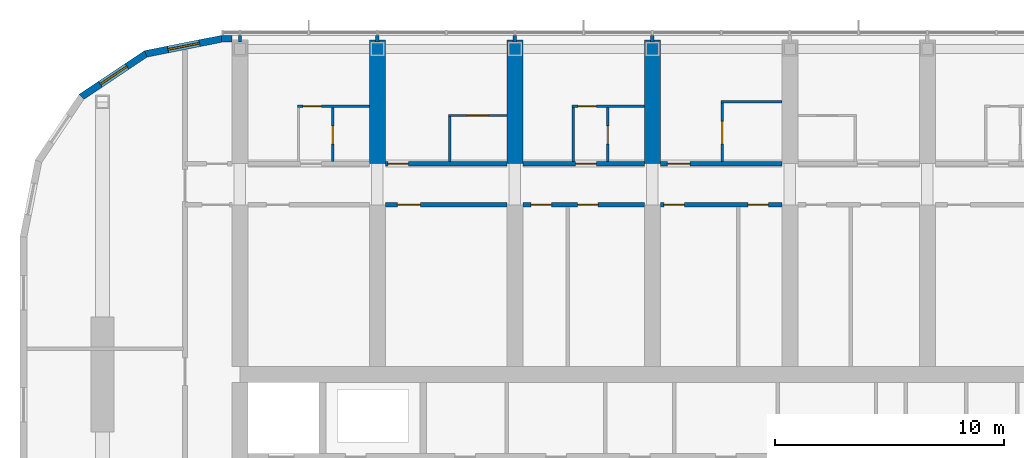
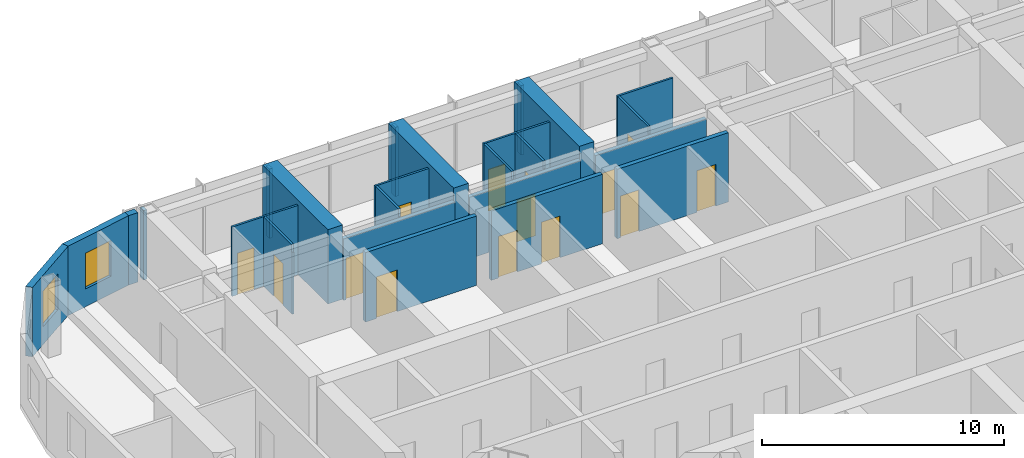
# One storey, part 16 of 23: 25 walls, 14 doors, 2 windows, 16 openings.
"""IFC4 building model written with IfcOpenShell, lengths in metres."""

from ifc_helpers import new_model, si_unit, direction, frame, frame_2d, origin, place, context, subcontext, project, spatial, polyline, rectangle, outline, extrude, material, layer, layer_set, type_object, element, fill, save


model = new_model("IFC4")

# Units and contexts
model_context = context("Model", 3, precision=1e-05, world=origin(), true_north=direction((0.0, 1.0)))
body_context = subcontext(model_context, "Body", "Model", "MODEL_VIEW")
ifc_project = project(units=[si_unit("LENGTHUNIT", "METRE"), si_unit("AREAUNIT", "SQUARE_METRE"), si_unit("VOLUMEUNIT", "CUBIC_METRE"), si_unit("PLANEANGLEUNIT", "RADIAN"), si_unit("MASSUNIT", "GRAM", prefix="KILO")], contexts=[model_context])

# Site, building, storey
site_placement = place(None, origin())
site = spatial("IfcSite", under=ifc_project, at=site_placement, CompositionType="ELEMENT")
building_placement = place(site_placement, origin())
building = spatial("IfcBuilding", under=site, at=building_placement, Name="Orbita Commons", CompositionType="ELEMENT")
storey_placement = place(building_placement, frame((0.0, 0.0, 224.050048828125)))
storey = spatial("IfcBuildingStorey", under=building, at=storey_placement, Name="L55", CompositionType="ELEMENT", Elevation=224.050048828125)

# Wall, opening, door
ifc_material_1 = material(Name="Concrete blockwork", Category="masonry")
ifc_layer_1 = layer(ifc_material_1, 0.199951171875)
ifc_layer_set_1 = layer_set([ifc_layer_1], Name="Concrete blockwork")
wall_type_1 = type_object("IfcWallType", Name="Corridor wall 200 blockwork", PredefinedType="SOLIDWALL", material=ifc_layer_set_1)
wall_1_placement = place(storey_placement, frame((24.35009765625, 47.39990234375, 0.0), z_axis=(0.0, 0.0, 1.0), x_axis=(1.0, 0.0, 0.0)))
wall_1 = element("IfcWall", 1, at=wall_1_placement, inside=storey, type_object=wall_type_1, Name="Corridor wall 200 blockwork L55", PredefinedType="SOLIDWALL", context=body_context, shape_type="SweptSolid", body=[
    extrude(outline(polyline([(0.0, 0.0), (5.2998046875, 0.0), (5.300048828125, 3.099853515625), (0.0, 3.099853515625), (0.0, 0.0)])), frame((0.0, 0.10009765625, 0.0), z_axis=(0.0, -1.0, 0.0), x_axis=(1.0, 0.0, 0.0)), (0.0, 0.0, 1.0), 0.199951171875),
])
opening_1_placement = place(wall_1_placement, frame((0.10009765625, 0.0, 0.0)))
opening_1 = element("IfcOpeningElement", 2, at=opening_1_placement, cuts=wall_1, Name="Opening D11", PredefinedType="OPENING", context=body_context, shape_type="SweptSolid", body=[
    extrude(rectangle(XDim=0.89990234375, YDim=2.10009765625, at=frame_2d((0.449951171875, 1.050048828125))), frame((0.0, 0.10986328125, 0.0), z_axis=(0.0, -1.0, 0.0), x_axis=(1.0, 0.0, 0.0)), (0.0, 0.0, 1.0), 0.219970703125),
])
ifc_material_2 = material(Name="Steel-faced fire door leaf", Category="steel")
door_type_1 = type_object("IfcDoorType", Name="Corridor door 20 min 900x2100", OperationType="SINGLE_SWING_LEFT", PredefinedType="DOOR", material=ifc_material_2)
door_1_placement = place(opening_1_placement, origin())
door_1 = element("IfcDoor", 3, at=door_1_placement, inside=storey, type_object=door_type_1, Name="Studio apartment with kitchenette L55-N02 door", OperationType="SINGLE_SWING_LEFT", OverallHeight=2.10009765625, OverallWidth=0.89990234375, PredefinedType="DOOR", context=body_context, shape_type="SweptSolid", body=[
    extrude(rectangle(XDim=0.89990234375, YDim=2.10009765625, at=frame_2d((0.449951171875, 1.050048828125))), frame((0.0, 0.02490234375, 0.0), z_axis=(0.0, -1.0, 0.0), x_axis=(1.0, 0.0, 0.0)), (0.0, 0.0, 1.0), 0.050048828125),
])
fill(opening_1, door_1)

wall_2_placement = place(storey_placement, frame((30.35009765625, 47.39990234375, 0.0), z_axis=(0.0, 0.0, 1.0), x_axis=(1.0, 0.0, 0.0)))
wall_2 = element("IfcWall", 4, at=wall_2_placement, inside=storey, type_object=wall_type_1, Name="Corridor wall 200 blockwork L55", PredefinedType="SOLIDWALL", context=body_context, shape_type="SweptSolid", body=[
    extrude(outline(polyline([(0.0, 0.0), (5.2998046875, 0.0), (5.300048828125, 3.099853515625), (0.0, 3.099853515625), (0.0, 0.0)])), frame((0.0, 0.10009765625, 0.0), z_axis=(0.0, -1.0, 0.0), x_axis=(1.0, 0.0, 0.0)), (0.0, 0.0, 1.0), 0.199951171875),
])
opening_2_placement = place(wall_2_placement, frame((2.300048828125, 0.0, 0.0)))
opening_2 = element("IfcOpeningElement", 5, at=opening_2_placement, cuts=wall_2, Name="Opening D11", PredefinedType="OPENING", context=body_context, shape_type="SweptSolid", body=[
    extrude(rectangle(XDim=0.89990234375, YDim=2.10009765625, at=frame_2d((0.449951171875, 1.050048828125))), frame((0.0, 0.10986328125, 0.0), z_axis=(0.0, -1.0, 0.0), x_axis=(1.0, 0.0, 0.0)), (0.0, 0.0, 1.0), 0.219970703125),
])
door_2_placement = place(opening_2_placement, origin())
door_2 = element("IfcDoor", 6, at=door_2_placement, inside=storey, type_object=door_type_1, Name="Studio flat L55-N04 entrance door", OperationType="SINGLE_SWING_LEFT", OverallHeight=2.10009765625, OverallWidth=0.89990234375, PredefinedType="DOOR", context=body_context, shape_type="SweptSolid", body=[
    extrude(rectangle(XDim=0.89990234375, YDim=2.10009765625, at=frame_2d((0.449951171875, 1.050048828125))), frame((0.0, 0.02490234375, 0.0), z_axis=(0.0, -1.0, 0.0), x_axis=(1.0, 0.0, 0.0)), (0.0, 0.0, 1.0), 0.050048828125),
])
fill(opening_2, door_2)

wall_3_placement = place(storey_placement, frame((36.35009765625, 47.39990234375, 0.0), z_axis=(0.0, 0.0, 1.0), x_axis=(1.0, 0.0, 0.0)))
wall_3 = element("IfcWall", 7, at=wall_3_placement, inside=storey, type_object=wall_type_1, Name="Corridor wall 200 blockwork L55", PredefinedType="SOLIDWALL", context=body_context, shape_type="SweptSolid", body=[
    extrude(outline(polyline([(0.0, 0.0), (5.2998046875, 0.0), (5.300048828125, 3.099853515625), (0.0, 3.099853515625), (0.0, 0.0)])), frame((0.0, 0.10009765625, 0.0), z_axis=(0.0, -1.0, 0.0), x_axis=(1.0, 0.0, 0.0)), (0.0, 0.0, 1.0), 0.199951171875),
])
opening_3_placement = place(wall_3_placement, frame((0.300048828125, 0.0, 0.0)))
opening_3 = element("IfcOpeningElement", 8, at=opening_3_placement, cuts=wall_3, Name="Opening D06", PredefinedType="OPENING", context=body_context, shape_type="SweptSolid", body=[
    extrude(rectangle(XDim=1.0, YDim=2.10009765625, at=frame_2d((0.5, 1.050048828125))), frame((0.0, 0.10986328125, 0.0), z_axis=(0.0, -1.0, 0.0), x_axis=(1.0, 0.0, 0.0)), (0.0, 0.0, 1.0), 0.219970703125),
])
ifc_material_3 = material(Name="Steel-faced fire door leaf", Category="steel")
door_type_2 = type_object("IfcDoorType", Name="Corridor door 20 min 1000x2100", OperationType="SINGLE_SWING_LEFT", PredefinedType="DOOR", material=ifc_material_3)
door_3_placement = place(opening_3_placement, origin())
door_3 = element("IfcDoor", 9, at=door_3_placement, inside=storey, type_object=door_type_2, Name="Accessible bedroom L55-N06 door", OperationType="SINGLE_SWING_LEFT", OverallHeight=2.10009765625, OverallWidth=1.0, PredefinedType="DOOR", context=body_context, shape_type="SweptSolid", body=[
    extrude(rectangle(XDim=1.0, YDim=2.10009765625, at=frame_2d((0.5, 1.050048828125))), frame((0.0, 0.02490234375, 0.0), z_axis=(0.0, -1.0, 0.0), x_axis=(1.0, 0.0, 0.0)), (0.0, 0.0, 1.0), 0.050048828125),
])
fill(opening_3, door_3)

ifc_material_4 = material(Name="Hollow concrete block 200", Category="concrete")
ifc_layer_2 = layer(ifc_material_4, 0.199951171875)
ifc_layer_set_2 = layer_set([ifc_layer_2], Name="Hollow concrete block 200")
wall_type_2 = type_object("IfcWallType", Name="Corridor wall 200 hollow concrete block", PredefinedType="SOLIDWALL", material=ifc_layer_set_2)
wall_4_placement = place(storey_placement, frame((24.35009765625, 45.60009765625, 0.0), z_axis=(0.0, 0.0, 1.0), x_axis=(1.0, 0.0, 0.0)))
wall_4 = element("IfcWall", 10, at=wall_4_placement, inside=storey, type_object=wall_type_2, Name="Corridor wall 200 hollow concrete block L55", PredefinedType="SOLIDWALL", context=body_context, shape_type="SweptSolid", body=[
    extrude(rectangle(XDim=5.2998046875, YDim=0.199951171875, at=frame_2d((2.64990234375, 0.0))), origin(), (0.0, 0.0, 1.0), 3.5),
])
opening_4_placement = place(wall_4_placement, frame((0.52490234375, 0.0, 0.0)))
opening_4 = element("IfcOpeningElement", 11, at=opening_4_placement, cuts=wall_4, Name="Opening D06", PredefinedType="OPENING", context=body_context, shape_type="SweptSolid", body=[
    extrude(rectangle(XDim=1.0, YDim=2.10009765625, at=frame_2d((0.5, 1.050048828125))), frame((0.0, 0.10986328125, 0.0), z_axis=(0.0, -1.0, 0.0), x_axis=(1.0, 0.0, 0.0)), (0.0, 0.0, 1.0), 0.219970703125),
])
door_4_placement = place(opening_4_placement, origin())
door_4 = element("IfcDoor", 12, at=door_4_placement, inside=storey, type_object=door_type_2, Name="Storage lockers L55-BDN24 door", OperationType="SINGLE_SWING_LEFT", OverallHeight=2.10009765625, OverallWidth=1.0, PredefinedType="DOOR", context=body_context, shape_type="SweptSolid", body=[
    extrude(rectangle(XDim=1.0, YDim=2.10009765625, at=frame_2d((0.5, 1.050048828125))), frame((0.0, 0.02490234375, 0.0), z_axis=(0.0, -1.0, 0.0), x_axis=(1.0, 0.0, 0.0)), (0.0, 0.0, 1.0), 0.050048828125),
])
fill(opening_4, door_4)

# Wall, openings, doors
wall_5_placement = place(storey_placement, frame((30.35009765625, 45.60009765625, 0.0), z_axis=(0.0, 0.0, 1.0), x_axis=(1.0, 0.0, 0.0)))
wall_5 = element("IfcWall", 13, at=wall_5_placement, inside=storey, type_object=wall_type_2, Name="Corridor wall 200 hollow concrete block L55", PredefinedType="SOLIDWALL", context=body_context, shape_type="SweptSolid", body=[
    extrude(rectangle(XDim=5.2998046875, YDim=0.199951171875, at=frame_2d((2.64990234375, 0.0))), origin(), (0.0, 0.0, 1.0), 3.5),
])
opening_5_placement = place(wall_5_placement, frame((0.35009765625, 0.0, 0.0)))
opening_5 = element("IfcOpeningElement", 14, at=opening_5_placement, cuts=wall_5, Name="Opening D11", PredefinedType="OPENING", context=body_context, shape_type="SweptSolid", body=[
    extrude(rectangle(XDim=0.89990234375, YDim=2.10009765625, at=frame_2d((0.449951171875, 1.050048828125))), frame((0.0, 0.10986328125, 0.0), z_axis=(0.0, -1.0, 0.0), x_axis=(1.0, 0.0, 0.0)), (0.0, 0.0, 1.0), 0.219970703125),
])
opening_6_placement = place(wall_5_placement, frame((2.385009765625, 0.0, 0.0)))
opening_6 = element("IfcOpeningElement", 15, at=opening_6_placement, cuts=wall_5, Name="Opening D11", PredefinedType="OPENING", context=body_context, shape_type="SweptSolid", body=[
    extrude(rectangle(XDim=0.89990234375, YDim=2.10009765625, at=frame_2d((0.449951171875, 1.050048828125))), frame((0.0, 0.10986328125, 0.0), z_axis=(0.0, -1.0, 0.0), x_axis=(1.0, 0.0, 0.0)), (0.0, 0.0, 1.0), 0.219970703125),
])
door_5_placement = place(opening_5_placement, origin())
door_5 = element("IfcDoor", 16, at=door_5_placement, inside=storey, type_object=door_type_1, Name="Luggage store L55-BDN30n door", OperationType="SINGLE_SWING_LEFT", OverallHeight=2.10009765625, OverallWidth=0.89990234375, PredefinedType="DOOR", context=body_context, shape_type="SweptSolid", body=[
    extrude(rectangle(XDim=0.89990234375, YDim=2.10009765625, at=frame_2d((0.449951171875, 1.050048828125))), frame((0.0, 0.02490234375, 0.0), z_axis=(0.0, -1.0, 0.0), x_axis=(1.0, 0.0, 0.0)), (0.0, 0.0, 1.0), 0.050048828125),
])
fill(opening_5, door_5)
door_6_placement = place(opening_6_placement, origin())
door_6 = element("IfcDoor", 17, at=door_6_placement, inside=storey, type_object=door_type_1, Name="Refuse and recycling room L55-BDN30 door", OperationType="SINGLE_SWING_LEFT", OverallHeight=2.10009765625, OverallWidth=0.89990234375, PredefinedType="DOOR", context=body_context, shape_type="SweptSolid", body=[
    extrude(rectangle(XDim=0.89990234375, YDim=2.10009765625, at=frame_2d((0.449951171875, 1.050048828125))), frame((0.0, 0.02490234375, 0.0), z_axis=(0.0, -1.0, 0.0), x_axis=(1.0, 0.0, 0.0)), (0.0, 0.0, 1.0), 0.050048828125),
])
fill(opening_6, door_6)

wall_6_placement = place(storey_placement, frame((36.35009765625, 45.60009765625, 0.0), z_axis=(0.0, 0.0, 1.0), x_axis=(1.0, 0.0, 0.0)))
wall_6 = element("IfcWall", 18, at=wall_6_placement, inside=storey, type_object=wall_type_2, Name="Corridor wall 200 hollow concrete block L55", PredefinedType="SOLIDWALL", context=body_context, shape_type="SweptSolid", body=[
    extrude(rectangle(XDim=5.2998046875, YDim=0.199951171875, at=frame_2d((2.64990234375, 0.0))), origin(), (0.0, 0.0, 1.0), 3.5),
])
opening_7_placement = place(wall_6_placement, frame((0.14990234375, 0.0, 0.0)))
opening_7 = element("IfcOpeningElement", 19, at=opening_7_placement, cuts=wall_6, Name="Opening D11", PredefinedType="OPENING", context=body_context, shape_type="SweptSolid", body=[
    extrude(rectangle(XDim=0.89990234375, YDim=2.10009765625, at=frame_2d((0.449951171875, 1.050048828125))), frame((0.0, 0.10986328125, 0.0), z_axis=(0.0, -1.0, 0.0), x_axis=(1.0, 0.0, 0.0)), (0.0, 0.0, 1.0), 0.219970703125),
])
opening_8_placement = place(wall_6_placement, frame((3.81494140625, 0.0, 0.0)))
opening_8 = element("IfcOpeningElement", 20, at=opening_8_placement, cuts=wall_6, Name="Opening D11", PredefinedType="OPENING", context=body_context, shape_type="SweptSolid", body=[
    extrude(rectangle(XDim=0.89990234375, YDim=2.10009765625, at=frame_2d((0.449951171875, 1.050048828125))), frame((0.0, 0.10986328125, 0.0), z_axis=(0.0, -1.0, 0.0), x_axis=(1.0, 0.0, 0.0)), (0.0, 0.0, 1.0), 0.219970703125),
])
door_7_placement = place(opening_7_placement, origin())
door_7 = element("IfcDoor", 21, at=door_7_placement, inside=storey, type_object=door_type_1, Name="Bulk storage room L55-BDN36 door", OperationType="SINGLE_SWING_LEFT", OverallHeight=2.10009765625, OverallWidth=0.89990234375, PredefinedType="DOOR", context=body_context, shape_type="SweptSolid", body=[
    extrude(rectangle(XDim=0.89990234375, YDim=2.10009765625, at=frame_2d((0.449951171875, 1.050048828125))), frame((0.0, 0.02490234375, 0.0), z_axis=(0.0, -1.0, 0.0), x_axis=(1.0, 0.0, 0.0)), (0.0, 0.0, 1.0), 0.050048828125),
])
fill(opening_7, door_7)
door_8_placement = place(opening_8_placement, origin())
door_8 = element("IfcDoor", 22, at=door_8_placement, inside=storey, type_object=door_type_1, Name="Battery and UPS room L55-BDN36n door", OperationType="SINGLE_SWING_LEFT", OverallHeight=2.10009765625, OverallWidth=0.89990234375, PredefinedType="DOOR", context=body_context, shape_type="SweptSolid", body=[
    extrude(rectangle(XDim=0.89990234375, YDim=2.10009765625, at=frame_2d((0.449951171875, 1.050048828125))), frame((0.0, 0.02490234375, 0.0), z_axis=(0.0, -1.0, 0.0), x_axis=(1.0, 0.0, 0.0)), (0.0, 0.0, 1.0), 0.050048828125),
])
fill(opening_8, door_8)

# Walls
ifc_material_5 = material(Name="Concrete C50/60", Category="concrete")
ifc_layer_3 = layer(ifc_material_5, 0.699951171875)
ifc_layer_set_3 = layer_set([ifc_layer_3], Name="Concrete C50/60")
wall_type_3 = type_object("IfcWallType", Name="Cross wall 700 C50/60", PredefinedType="SHEAR", material=ifc_layer_set_3)
for number, where, z_axis, x_axis, name in (
    (23, (24.0, 47.39990234375, 0.0), (0.0, 0.0, 1.0), (0.0, 1.0, 0.0), "Cross wall 5 north outer L55"),
    (24, (30.0, 47.39990234375, 0.0), (0.0, 0.0, 1.0), (0.0, 1.0, 0.0), "Cross wall 6 north outer L55"),
    (25, (36.0, 47.39990234375, 0.0), (0.0, 0.0, 1.0), (0.0, 1.0, 0.0), "Cross wall 7 north outer L55"),
):
    element("IfcWall", number, at=place(storey_placement, frame(where, z_axis=z_axis, x_axis=x_axis)), inside=storey, type_object=wall_type_3, Name=name, PredefinedType="SHEAR", context=body_context, shape_type="SweptSolid", body=[
        extrude(rectangle(XDim=5.400146484375, YDim=0.699951171875, at=frame_2d((2.7001953125, 0.0))), origin(), (0.0, 0.0, 1.0), 3.75),
    ])

# Wall, opening, door
ifc_material_6 = material(Name="Moisture-resistant plasterboard on steel studs", Category="steel")
ifc_layer_4 = layer(ifc_material_6, 0.10009765625)
ifc_layer_set_4 = layer_set([ifc_layer_4], Name="Moisture-resistant plasterboard on steel studs")
wall_type_4 = type_object("IfcWallType", Name="En-suite partition 100", PredefinedType="PARTITIONING", material=ifc_layer_set_4)
wall_7_placement = place(storey_placement, frame((20.5, 49.89990234375, 0.0), z_axis=(0.0, 0.0, 1.0), x_axis=(1.0, 0.0, 0.0)))
wall_7 = element("IfcWall", 26, at=wall_7_placement, inside=storey, type_object=wall_type_4, Name="En-suite partition 100 L55", PredefinedType="PARTITIONING", context=body_context, shape_type="SweptSolid", body=[
    extrude(rectangle(XDim=3.14990234375, YDim=0.10009765625, at=frame_2d((1.574951171875, 0.0))), origin(), (0.0, 0.0, 1.0), 3.5),
])
opening_9_placement = place(wall_7_placement, frame((0.25, 0.0, 0.0)))
opening_9 = element("IfcOpeningElement", 27, at=opening_9_placement, cuts=wall_7, Name="Opening D16", PredefinedType="OPENING", context=body_context, shape_type="SweptSolid", body=[
    extrude(rectangle(XDim=0.800048828125, YDim=2.10009765625, at=frame_2d((0.39990234375, 1.050048828125))), frame((0.0, 0.06005859375, 0.0), z_axis=(0.0, -1.0, 0.0), x_axis=(1.0, 0.0, 0.0)), (0.0, 0.0, 1.0), 0.1201171875),
])
ifc_material_7 = material(Name="Laminated timber door leaf", Category="wood")
door_type_3 = type_object("IfcDoorType", Name="En-suite door 800x2100", OperationType="SINGLE_SWING_RIGHT", PredefinedType="DOOR", material=ifc_material_7)
door_9_placement = place(opening_9_placement, origin())
door_9 = element("IfcDoor", 28, at=door_9_placement, inside=storey, type_object=door_type_3, Name="Studio flat L55-N00 door", OperationType="SINGLE_SWING_RIGHT", OverallHeight=2.10009765625, OverallWidth=0.800048828125, PredefinedType="DOOR", context=body_context, shape_type="SweptSolid", body=[
    extrude(rectangle(XDim=0.800048828125, YDim=2.10009765625, at=frame_2d((0.39990234375, 1.050048828125))), frame((0.0, 0.02490234375, 0.0), z_axis=(0.0, -1.0, 0.0), x_axis=(1.0, 0.0, 0.0)), (0.0, 0.0, 1.0), 0.050048828125),
])
fill(opening_9, door_9)

wall_8_placement = place(storey_placement, frame((22.050048828125, 49.85009765625, 0.0), z_axis=(0.0, 0.0, 1.0), x_axis=(0.0, -1.0, 0.0)))
wall_8 = element("IfcWall", 29, at=wall_8_placement, inside=storey, type_object=wall_type_4, Name="En-suite partition 100 L55", PredefinedType="PARTITIONING", context=body_context, shape_type="SweptSolid", body=[
    extrude(outline(polyline([(0.0, 0.0), (2.35009765625, 0.0), (2.35009765625, 3.099853515625), (2.302001953125, 3.099853515625), (2.300048828125, 3.5), (0.0, 3.5), (0.0, 0.0)])), frame((0.0, 0.050048828125, 0.0), z_axis=(0.0, -1.0, 0.0), x_axis=(1.0, 0.0, 0.0)), (0.0, 0.0, 1.0), 0.10009765625),
])
opening_10_placement = place(wall_8_placement, frame((0.800048828125, 0.0, 0.0)))
opening_10 = element("IfcOpeningElement", 30, at=opening_10_placement, cuts=wall_8, Name="Opening D16", PredefinedType="OPENING", context=body_context, shape_type="SweptSolid", body=[
    extrude(rectangle(XDim=0.800048828125, YDim=2.10009765625, at=frame_2d((0.39990234375, 1.050048828125))), frame((0.0, 0.06005859375, 0.0), z_axis=(0.0, -1.0, 0.0), x_axis=(1.0, 0.0, 0.0)), (0.0, 0.0, 1.0), 0.1201171875),
])
door_10_placement = place(opening_10_placement, origin())
door_10 = element("IfcDoor", 31, at=door_10_placement, inside=storey, type_object=door_type_3, Name="Studio flat shower room L55-N00 door", OperationType="SINGLE_SWING_RIGHT", OverallHeight=2.10009765625, OverallWidth=0.800048828125, PredefinedType="DOOR", context=body_context, shape_type="SweptSolid", body=[
    extrude(rectangle(XDim=0.800048828125, YDim=2.10009765625, at=frame_2d((0.39990234375, 1.050048828125))), frame((0.0, 0.02490234375, 0.0), z_axis=(0.0, -1.0, 0.0), x_axis=(1.0, 0.0, 0.0)), (0.0, 0.0, 1.0), 0.050048828125),
])
fill(opening_10, door_10)

wall_9_placement = place(storey_placement, frame((27.10009765625, 49.5, 0.0), z_axis=(0.0, 0.0, 1.0), x_axis=(1.0, 0.0, 0.0)))
wall_9 = element("IfcWall", 32, at=wall_9_placement, inside=storey, type_object=wall_type_4, Name="En-suite partition 100 L55", PredefinedType="PARTITIONING", context=body_context, shape_type="SweptSolid", body=[
    extrude(rectangle(XDim=2.5498046875, YDim=0.10009765625, at=frame_2d((1.27490234375, 0.0))), origin(), (0.0, 0.0, 1.0), 3.5),
])
opening_11_placement = place(wall_9_placement, frame((0.824951171875, 0.0, 0.0)))
opening_11 = element("IfcOpeningElement", 33, at=opening_11_placement, cuts=wall_9, Name="Opening D09", PredefinedType="OPENING", context=body_context, shape_type="SweptSolid", body=[
    extrude(rectangle(XDim=0.89990234375, YDim=2.10009765625, at=frame_2d((0.449951171875, 1.050048828125))), frame((0.0, 0.06005859375, 0.0), z_axis=(0.0, -1.0, 0.0), x_axis=(1.0, 0.0, 0.0)), (0.0, 0.0, 1.0), 0.1201171875),
])
ifc_material_8 = material(Name="Laminated timber door leaf", Category="wood")
door_type_4 = type_object("IfcDoorType", Name="En-suite door 900x2100", OperationType="SINGLE_SWING_RIGHT", PredefinedType="DOOR", material=ifc_material_8)
door_11_placement = place(opening_11_placement, origin())
door_11 = element("IfcDoor", 34, at=door_11_placement, inside=storey, type_object=door_type_4, Name="En-suite L55-N02 door", OperationType="SINGLE_SWING_RIGHT", OverallHeight=2.10009765625, OverallWidth=0.89990234375, PredefinedType="DOOR", context=body_context, shape_type="SweptSolid", body=[
    extrude(rectangle(XDim=0.89990234375, YDim=2.10009765625, at=frame_2d((0.449951171875, 1.050048828125))), frame((0.0, 0.02490234375, 0.0), z_axis=(0.0, -1.0, 0.0), x_axis=(1.0, 0.0, 0.0)), (0.0, 0.0, 1.0), 0.050048828125),
])
fill(opening_11, door_11)

# Wall
wall_10_placement = place(storey_placement, frame((27.14990234375, 49.449951171875, 0.0), z_axis=(0.0, 0.0, 1.0), x_axis=(0.0, -1.0, 0.0)))
element("IfcWall", 35, at=wall_10_placement, inside=storey, type_object=wall_type_4, Name="En-suite partition 100 L55", PredefinedType="PARTITIONING", context=body_context, shape_type="SweptSolid", body=[
    extrude(outline(polyline([(0.0, 0.0), (1.949951171875, 0.0), (1.949951171875, 3.099853515625), (1.902099609375, 3.099853515625), (1.89990234375, 3.5), (0.0, 3.5), (0.0, 0.0)])), frame((0.0, 0.050048828125, 0.0), z_axis=(0.0, -1.0, 0.0), x_axis=(1.0, 0.0, 0.0)), (0.0, 0.0, 1.0), 0.10009765625),
])

# Wall, opening, door
wall_11_placement = place(storey_placement, frame((32.5, 49.89990234375, 0.0), z_axis=(0.0, 0.0, 1.0), x_axis=(1.0, 0.0, 0.0)))
wall_11 = element("IfcWall", 36, at=wall_11_placement, inside=storey, type_object=wall_type_4, Name="En-suite partition 100 L55", PredefinedType="PARTITIONING", context=body_context, shape_type="SweptSolid", body=[
    extrude(rectangle(XDim=3.14990234375, YDim=0.10009765625, at=frame_2d((1.574951171875, 0.0))), origin(), (0.0, 0.0, 1.0), 3.5),
])
opening_12_placement = place(wall_11_placement, frame((0.25, 0.0, 0.0)))
opening_12 = element("IfcOpeningElement", 37, at=opening_12_placement, cuts=wall_11, Name="Opening D16", PredefinedType="OPENING", context=body_context, shape_type="SweptSolid", body=[
    extrude(rectangle(XDim=0.800048828125, YDim=2.10009765625, at=frame_2d((0.39990234375, 1.050048828125))), frame((0.0, 0.06005859375, 0.0), z_axis=(0.0, -1.0, 0.0), x_axis=(1.0, 0.0, 0.0)), (0.0, 0.0, 1.0), 0.1201171875),
])
door_12_placement = place(opening_12_placement, origin())
door_12 = element("IfcDoor", 38, at=door_12_placement, inside=storey, type_object=door_type_3, Name="Studio flat L55-N04 door", OperationType="SINGLE_SWING_RIGHT", OverallHeight=2.10009765625, OverallWidth=0.800048828125, PredefinedType="DOOR", context=body_context, shape_type="SweptSolid", body=[
    extrude(rectangle(XDim=0.800048828125, YDim=2.10009765625, at=frame_2d((0.39990234375, 1.050048828125))), frame((0.0, 0.02490234375, 0.0), z_axis=(0.0, -1.0, 0.0), x_axis=(1.0, 0.0, 0.0)), (0.0, 0.0, 1.0), 0.050048828125),
])
fill(opening_12, door_12)

# Wall
wall_12_placement = place(storey_placement, frame((32.550048828125, 49.85009765625, 0.0), z_axis=(0.0, 0.0, 1.0), x_axis=(0.0, -1.0, 0.0)))
element("IfcWall", 39, at=wall_12_placement, inside=storey, type_object=wall_type_4, Name="En-suite partition 100 L55", PredefinedType="PARTITIONING", context=body_context, shape_type="SweptSolid", body=[
    extrude(outline(polyline([(0.0, 0.0), (2.35009765625, 0.0), (2.35009765625, 3.099853515625), (2.302001953125, 3.099853515625), (2.300048828125, 3.5), (0.0, 3.5), (0.0, 0.0)])), frame((0.0, 0.050048828125, 0.0), z_axis=(0.0, -1.0, 0.0), x_axis=(1.0, 0.0, 0.0)), (0.0, 0.0, 1.0), 0.10009765625),
])

# Wall, opening, door
wall_13_placement = place(storey_placement, frame((34.050048828125, 49.85009765625, 0.0), z_axis=(0.0, 0.0, 1.0), x_axis=(0.0, -1.0, 0.0)))
wall_13 = element("IfcWall", 40, at=wall_13_placement, inside=storey, type_object=wall_type_4, Name="En-suite partition 100 L55", PredefinedType="PARTITIONING", context=body_context, shape_type="SweptSolid", body=[
    extrude(outline(polyline([(0.0, 0.0), (2.35009765625, 0.0), (2.35009765625, 3.099853515625), (2.302001953125, 3.099853515625), (2.300048828125, 3.5), (0.0, 3.5), (0.0, 0.0)])), frame((0.0, 0.050048828125, 0.0), z_axis=(0.0, -1.0, 0.0), x_axis=(1.0, 0.0, 0.0)), (0.0, 0.0, 1.0), 0.10009765625),
])
opening_13_placement = place(wall_13_placement, frame((0.800048828125, 0.0, 0.0)))
opening_13 = element("IfcOpeningElement", 41, at=opening_13_placement, cuts=wall_13, Name="Opening D16", PredefinedType="OPENING", context=body_context, shape_type="SweptSolid", body=[
    extrude(rectangle(XDim=0.800048828125, YDim=2.10009765625, at=frame_2d((0.39990234375, 1.050048828125))), frame((0.0, 0.06005859375, 0.0), z_axis=(0.0, -1.0, 0.0), x_axis=(1.0, 0.0, 0.0)), (0.0, 0.0, 1.0), 0.1201171875),
])
door_13_placement = place(opening_13_placement, origin())
door_13 = element("IfcDoor", 42, at=door_13_placement, inside=storey, type_object=door_type_3, Name="Studio flat shower room L55-N04 door", OperationType="SINGLE_SWING_RIGHT", OverallHeight=2.10009765625, OverallWidth=0.800048828125, PredefinedType="DOOR", context=body_context, shape_type="SweptSolid", body=[
    extrude(rectangle(XDim=0.800048828125, YDim=2.10009765625, at=frame_2d((0.39990234375, 1.050048828125))), frame((0.0, 0.02490234375, 0.0), z_axis=(0.0, -1.0, 0.0), x_axis=(1.0, 0.0, 0.0)), (0.0, 0.0, 1.0), 0.050048828125),
])
fill(opening_13, door_13)

# Wall
wall_14_placement = place(storey_placement, frame((39.0, 50.10009765625, 0.0), z_axis=(0.0, 0.0, 1.0), x_axis=(1.0, 0.0, 0.0)))
element("IfcWall", 43, at=wall_14_placement, inside=storey, type_object=wall_type_4, Name="En-suite partition 100 L55", PredefinedType="PARTITIONING", context=body_context, shape_type="SweptSolid", body=[
    extrude(rectangle(XDim=2.64990234375, YDim=0.10009765625, at=frame_2d((1.324951171875, 0.0))), origin(), (0.0, 0.0, 1.0), 3.5),
])

# Wall, opening, door
wall_15_placement = place(storey_placement, frame((39.050048828125, 50.050048828125, 0.0), z_axis=(0.0, 0.0, 1.0), x_axis=(0.0, -1.0, 0.0)))
wall_15 = element("IfcWall", 44, at=wall_15_placement, inside=storey, type_object=wall_type_4, Name="En-suite partition 100 L55", PredefinedType="PARTITIONING", context=body_context, shape_type="SweptSolid", body=[
    extrude(outline(polyline([(0.0, 0.0), (2.550048828125, 0.0), (2.550048828125, 3.099853515625), (2.501953125, 3.099853515625), (2.5, 3.5), (0.0, 3.5), (0.0, 0.0)])), frame((0.0, 0.050048828125, 0.0), z_axis=(0.0, -1.0, 0.0), x_axis=(1.0, 0.0, 0.0)), (0.0, 0.0, 1.0), 0.10009765625),
])
opening_14_placement = place(wall_15_placement, frame((0.800048828125, 0.0, 0.0)))
opening_14 = element("IfcOpeningElement", 45, at=opening_14_placement, cuts=wall_15, Name="Opening D13", PredefinedType="OPENING", context=body_context, shape_type="SweptSolid", body=[
    extrude(rectangle(XDim=1.0, YDim=2.10009765625, at=frame_2d((0.5, 1.050048828125))), frame((0.0, 0.06005859375, 0.0), z_axis=(0.0, -1.0, 0.0), x_axis=(1.0, 0.0, 0.0)), (0.0, 0.0, 1.0), 0.1201171875),
])
ifc_material_9 = material(Name="Laminated timber door leaf", Category="wood")
door_type_5 = type_object("IfcDoorType", Name="En-suite door 1000x2100", OperationType="SINGLE_SWING_RIGHT", PredefinedType="DOOR", material=ifc_material_9)
door_14_placement = place(opening_14_placement, origin())
door_14 = element("IfcDoor", 46, at=door_14_placement, inside=storey, type_object=door_type_5, Name="Accessible shower room L55-N06 door", OperationType="SINGLE_SWING_RIGHT", OverallHeight=2.10009765625, OverallWidth=1.0, PredefinedType="DOOR", context=body_context, shape_type="SweptSolid", body=[
    extrude(rectangle(XDim=1.0, YDim=2.10009765625, at=frame_2d((0.5, 1.050048828125))), frame((0.0, 0.02490234375, 0.0), z_axis=(0.0, -1.0, 0.0), x_axis=(1.0, 0.0, 0.0)), (0.0, 0.0, 1.0), 0.050048828125),
])
fill(opening_14, door_14)

# Walls
ifc_material_10 = material(Name="Gypsum plasterboard on steel studs", Category="steel")
ifc_layer_5 = layer(ifc_material_10, 0.14990234375)
ifc_layer_set_5 = layer_set([ifc_layer_5], Name="Gypsum plasterboard on steel studs")
wall_type_5 = type_object("IfcWallType", Name="Partition 150 plasterboard", PredefinedType="PARTITIONING", material=ifc_layer_set_5)
for number, where, z_axis, x_axis, name in (
    (47, (18.0, 52.699951171875, 0.0), (0.0, 0.0, 1.0), (0.0, 1.0, 0.0), "Partition 150 plasterboard L55"),
    (48, (24.0, 52.699951171875, 0.0), (0.0, 0.0, 1.0), (0.0, 1.0, 0.0), "Partition 150 plasterboard L55"),
    (49, (30.0, 52.699951171875, 0.0), (0.0, 0.0, 1.0), (0.0, 1.0, 0.0), "Partition 150 plasterboard L55"),
    (50, (36.0, 52.699951171875, 0.0), (0.0, 0.0, 1.0), (0.0, 1.0, 0.0), "Partition 150 plasterboard L55"),
):
    element("IfcWall", number, at=place(storey_placement, frame(where, z_axis=z_axis, x_axis=x_axis)), inside=storey, type_object=wall_type_5, Name=name, PredefinedType="PARTITIONING", context=body_context, shape_type="SweptSolid", body=[
        extrude(rectangle(XDim=0.2900390625, YDim=0.14990234375, at=frame_2d((0.14501953125, 0.0))), origin(), (0.0, 0.0, 1.0), 3.5),
    ])

# Wall, opening, window
ifc_material_11 = material(Name="Precast concrete C40/50, white board-marked finish", Category="concrete")
ifc_layer_6 = layer(ifc_material_11, 0.300048828125)
ifc_layer_set_6 = layer_set([ifc_layer_6], Name="Precast concrete C40/50, white board-marked finish")
wall_type_6 = type_object("IfcWallType", Name="Precast concrete end shield 300", PredefinedType="SOLIDWALL", material=ifc_layer_set_6)
wall_16_placement = place(storey_placement, frame((17.199951171875, 52.85009765625, 0.0), z_axis=(0.0, 0.0, 1.0), x_axis=(-0.98078325777, -0.195100490205, 0.0)))
wall_16 = element("IfcWall", 51, at=wall_16_placement, inside=storey, type_object=wall_type_6, Name="End shield NW chord 1 L55", PredefinedType="SOLIDWALL", context=body_context, shape_type="SweptSolid", body=[
    extrude(outline(polyline([(-0.02978515625, -0.14990234375), (3.40478515625, -0.14990234375), (3.34521484375, 0.14990234375), (0.02978515625, 0.14990234375), (-0.02978515625, -0.14990234375)])), origin(), (0.0, 0.0, 1.0), 3.5),
])
opening_15_placement = place(wall_16_placement, frame((0.987548828125, 0.0, 0.89990234375)))
opening_15 = element("IfcOpeningElement", 52, at=opening_15_placement, cuts=wall_16, Name="Opening W02", PredefinedType="OPENING", context=body_context, shape_type="SweptSolid", body=[
    extrude(rectangle(XDim=1.39990234375, YDim=1.800048828125, at=frame_2d((0.699951171875, 0.89990234375))), frame((0.0, 0.159912109375, 0.0), z_axis=(0.0, -1.0, 0.0), x_axis=(1.0, 0.0, 0.0)), (0.0, 0.0, 1.0), 0.320068359375),
])
ifc_material_12 = material(Name="Aluminium frame, clear double glazing", Category="aluminium")
window_type = type_object("IfcWindowType", Name="Deep-set window 1400x1800", PartitioningType="SINGLE_PANEL", PredefinedType="WINDOW", material=ifc_material_12)
window_1_placement = place(opening_15_placement, origin())
window_1 = element("IfcWindow", 53, at=window_1_placement, inside=storey, type_object=window_type, Name="Window L55-NW0", OverallHeight=1.800048828125, OverallWidth=1.39990234375, PartitioningType="SINGLE_PANEL", PredefinedType="WINDOW", context=body_context, shape_type="SweptSolid", body=[
    extrude(rectangle(XDim=1.39990234375, YDim=1.800048828125, at=frame_2d((0.699951171875, 0.89990234375))), frame((0.0, 0.030029296875, 0.0), z_axis=(0.0, -1.0, 0.0), x_axis=(1.0, 0.0, 0.0)), (0.0, 0.0, 1.0), 0.06005859375),
])
fill(opening_15, window_1)

wall_17_placement = place(storey_placement, frame((13.889892578125, 52.191650390625, 0.0), z_axis=(0.0, 0.0, 1.0), x_axis=(-0.831460037396, -0.555584562613, 0.0)))
wall_17 = element("IfcWall", 54, at=wall_17_placement, inside=storey, type_object=wall_type_6, Name="End shield NW chord 2 L55", PredefinedType="SOLIDWALL", context=body_context, shape_type="SweptSolid", body=[
    extrude(outline(polyline([(-0.02978515625, -0.14990234375), (3.405029296875, -0.14990234375), (3.345458984375, 0.14990234375), (0.02978515625, 0.14990234375), (-0.02978515625, -0.14990234375)])), origin(), (0.0, 0.0, 1.0), 3.5),
])
opening_16_placement = place(wall_17_placement, frame((0.987548828125, 0.0, 0.89990234375)))
opening_16 = element("IfcOpeningElement", 55, at=opening_16_placement, cuts=wall_17, Name="Opening W02", PredefinedType="OPENING", context=body_context, shape_type="SweptSolid", body=[
    extrude(rectangle(XDim=1.39990234375, YDim=1.800048828125, at=frame_2d((0.699951171875, 0.89990234375))), frame((0.0, 0.159912109375, 0.0), z_axis=(0.0, -1.0, 0.0), x_axis=(1.0, 0.0, 0.0)), (0.0, 0.0, 1.0), 0.320068359375),
])
window_2_placement = place(opening_16_placement, origin())
window_2 = element("IfcWindow", 56, at=window_2_placement, inside=storey, type_object=window_type, Name="Window L55-NW1", OverallHeight=1.800048828125, OverallWidth=1.39990234375, PartitioningType="SINGLE_PANEL", PredefinedType="WINDOW", context=body_context, shape_type="SweptSolid", body=[
    extrude(rectangle(XDim=1.39990234375, YDim=1.800048828125, at=frame_2d((0.699951171875, 0.89990234375))), frame((0.0, 0.030029296875, 0.0), z_axis=(0.0, -1.0, 0.0), x_axis=(1.0, 0.0, 0.0)), (0.0, 0.0, 1.0), 0.06005859375),
])
fill(opening_16, window_2)

# Wall
wall_18_placement = place(storey_placement, frame((17.199951171875, 52.85009765625, 0.0), z_axis=(0.0, 0.0, 1.0), x_axis=(1.0, 0.0, 0.0)))
element("IfcWall", 57, at=wall_18_placement, inside=storey, type_object=wall_type_6, Name="End shield NW closer L55", PredefinedType="SOLIDWALL", context=body_context, shape_type="SweptSolid", body=[
    extrude(rectangle(XDim=0.449951171875, YDim=0.300048828125, at=frame_2d((0.22509765625, 0.0))), origin(), (0.0, 0.0, 1.0), 3.5),
])

save(model, "model.ifc")
